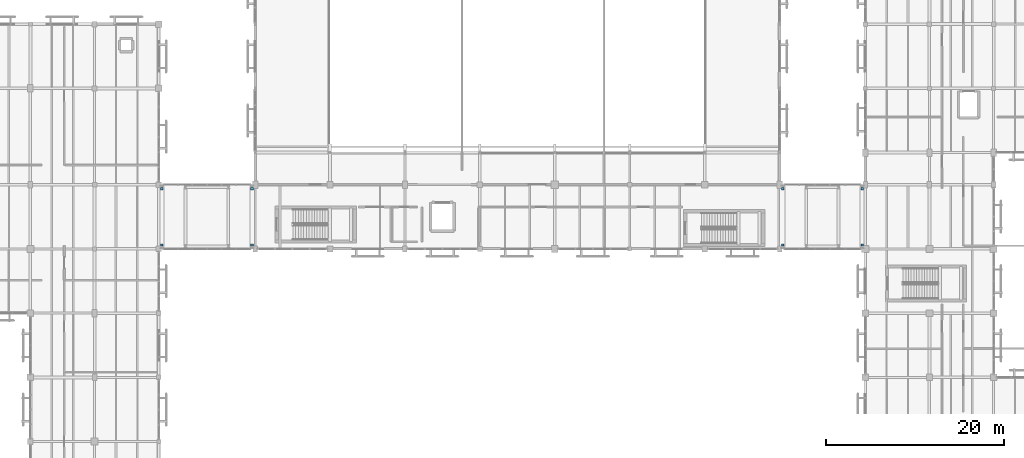
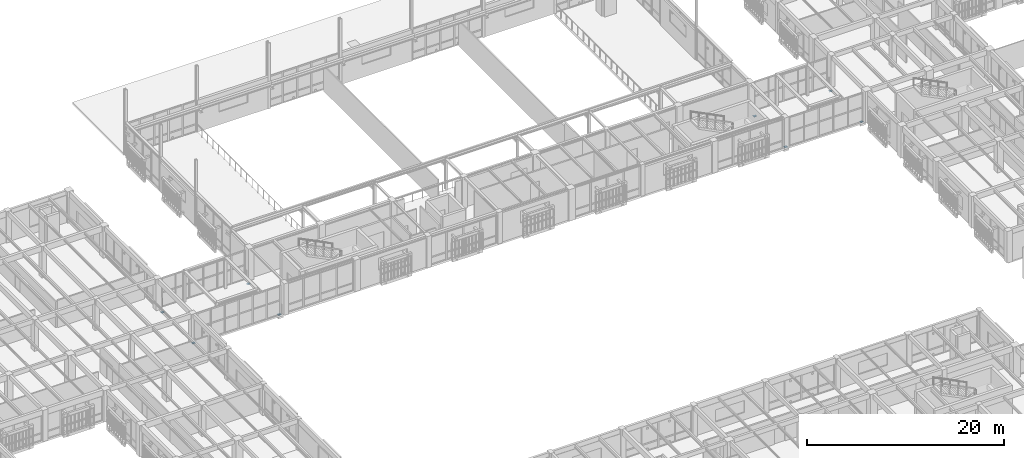
# One storey, part 146 of 170: 8 discrete accessories.
"""IFC4 building model written with IfcOpenShell, lengths in metres."""

from ifc_helpers import new_model, si_unit, direction, frame, origin, origin_2d, place, context, subcontext, project, spatial, rectangle, extrude, material, type_object, element, save


model = new_model("IFC4")

# Units and contexts
model_context = context("Model", 3, precision=1e-05, world=origin(), true_north=direction((0.0, 1.0)))
body_context = subcontext(model_context, "Body", "Model", "MODEL_VIEW")
ifc_project = project(units=[si_unit("LENGTHUNIT", "METRE"), si_unit("AREAUNIT", "SQUARE_METRE"), si_unit("VOLUMEUNIT", "CUBIC_METRE"), si_unit("PLANEANGLEUNIT", "RADIAN"), si_unit("MASSUNIT", "GRAM", prefix="KILO")], contexts=[model_context])

# Site, building, storey
site_placement = place(None, origin())
site = spatial("IfcSite", under=ifc_project, at=site_placement, CompositionType="ELEMENT")
building_placement = place(site_placement, origin())
building = spatial("IfcBuilding", under=site, at=building_placement, Name="Mazaris Harbour Polytechnic", CompositionType="ELEMENT")
storey_placement = place(building_placement, frame((0.0, 0.0, 5.39990234375)))
storey = spatial("IfcBuildingStorey", under=building, at=storey_placement, Name="L01", CompositionType="ELEMENT", Elevation=5.39990234375)

# Discrete accessories
ifc_material = material(Name="Steel S355", Category="steel")
discrete_accessory_type = type_object("IfcDiscreteAccessoryType", Name="PTFE Sliding Bridge Bearing 300x250x65 Exterior", PredefinedType="BRACKET", material=ifc_material)
for number, where, z_axis, x_axis, name in (
    (1, (43.550048828125, 76.050048828125, -0.329833984375), (0.0, 0.0, 1.0), (1.0, 0.0, 0.0), "PB-W2 L01 PTFE Sliding Bearing W1"),
    (2, (43.550048828125, 82.35009765625, -0.329833984375), (0.0, 0.0, 1.0), (1.0, 0.0, 0.0), "PB-W2 L01 PTFE Sliding Bearing W2"),
    (3, (53.64990234375, 76.050048828125, -0.329833984375), (0.0, 0.0, 1.0), (1.0, 0.0, 0.0), "PB-W2 L01 PTFE Sliding Bearing E1"),
    (4, (53.64990234375, 82.35009765625, -0.329833984375), (0.0, 0.0, 1.0), (1.0, 0.0, 0.0), "PB-W2 L01 PTFE Sliding Bearing E2"),
    (5, (113.14990234375, 76.050048828125, -0.329833984375), (0.0, 0.0, 1.0), (1.0, 0.0, 0.0), "PB-E2 L01 PTFE Sliding Bearing W1"),
    (6, (113.14990234375, 82.35009765625, -0.329833984375), (0.0, 0.0, 1.0), (1.0, 0.0, 0.0), "PB-E2 L01 PTFE Sliding Bearing W2"),
    (7, (122.050048828125, 76.050048828125, -0.329833984375), (0.0, 0.0, 1.0), (1.0, 0.0, 0.0), "PB-E2 L01 PTFE Sliding Bearing E1"),
    (8, (122.050048828125, 82.35009765625, -0.329833984375), (0.0, 0.0, 1.0), (1.0, 0.0, 0.0), "PB-E2 L01 PTFE Sliding Bearing E2"),
):
    element("IfcDiscreteAccessory", number, at=place(storey_placement, frame(where, z_axis=z_axis, x_axis=x_axis)), inside=storey, type_object=discrete_accessory_type, Name=name, PredefinedType="BRACKET", context=body_context, shape_type="SweptSolid", body=[
        extrude(rectangle(XDim=0.300048828125, YDim=0.25, at=origin_2d()), origin(), (0.0, 0.0, 1.0), 0.06494140625),
    ])

save(model, "model.ifc")
